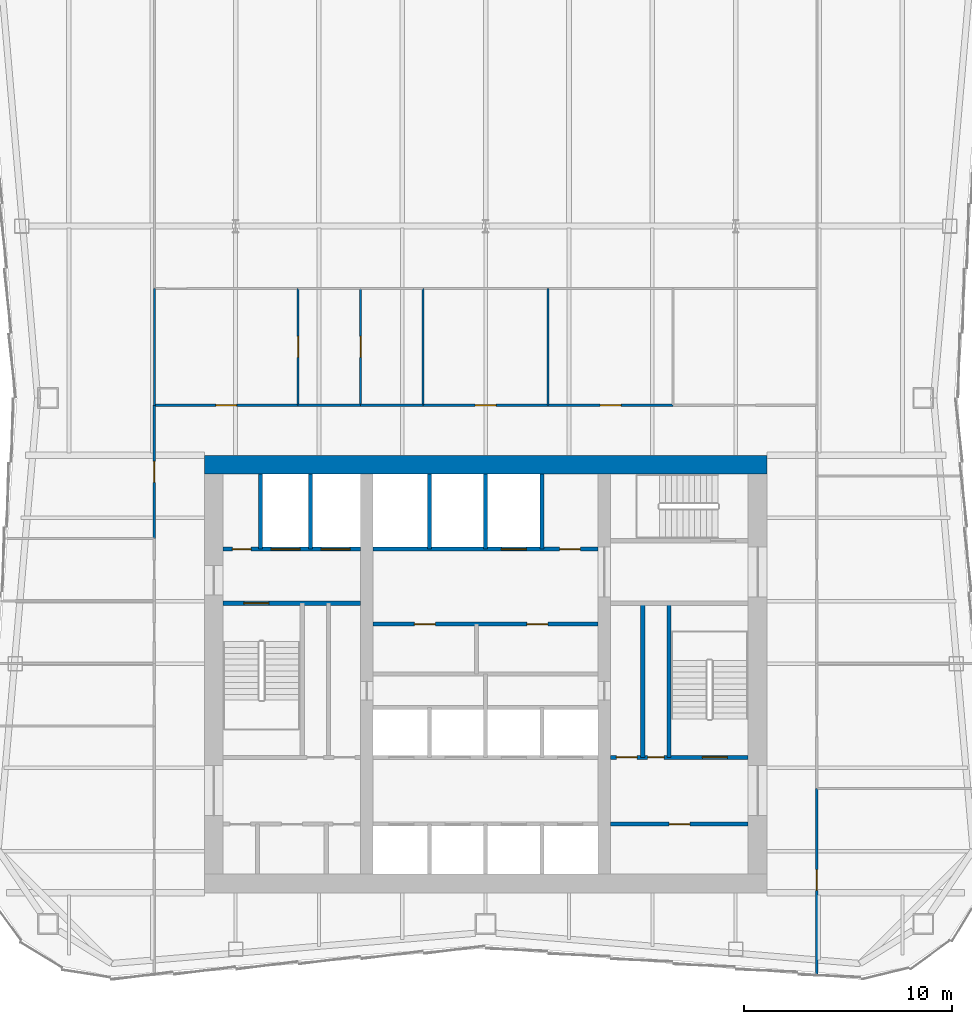
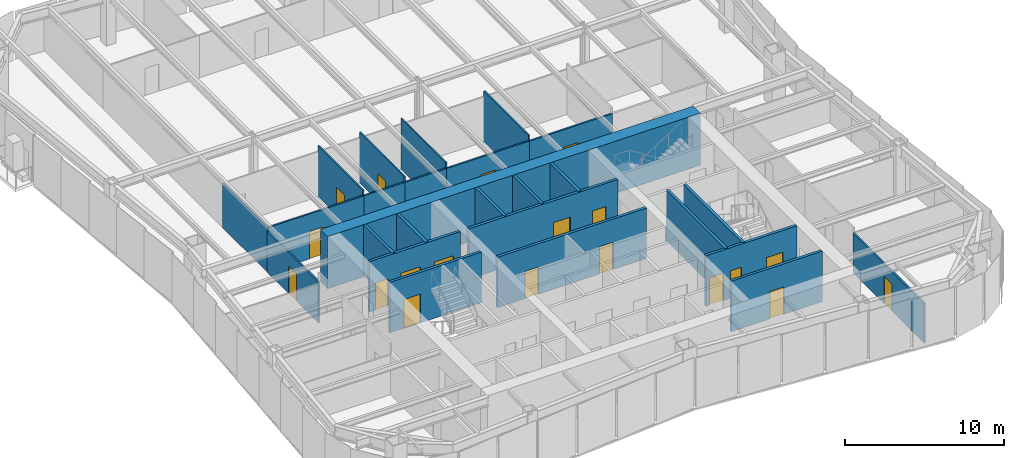
# One storey, part 6 of 10: 26 walls, 19 doors, 19 openings.
"""IFC4 building model written with IfcOpenShell, lengths in metres."""

from ifc_helpers import new_model, si_unit, direction, frame, frame_2d, origin, place, context, subcontext, project, spatial, rectangle, extrude, material, layer, layer_set, type_object, element, fill, save


model = new_model("IFC4")

# Units and contexts
model_context = context("Model", 3, precision=1e-05, world=origin(), true_north=direction((0.0, 1.0)))
body_context = subcontext(model_context, "Body", "Model", "MODEL_VIEW")
ifc_project = project(units=[si_unit("LENGTHUNIT", "METRE"), si_unit("AREAUNIT", "SQUARE_METRE"), si_unit("VOLUMEUNIT", "CUBIC_METRE"), si_unit("PLANEANGLEUNIT", "RADIAN"), si_unit("MASSUNIT", "GRAM", prefix="KILO")], contexts=[model_context])

# Site, building, storey
site_placement = place(None, origin())
site = spatial("IfcSite", under=ifc_project, at=site_placement, CompositionType="ELEMENT")
building_placement = place(site_placement, origin())
building = spatial("IfcBuilding", under=site, at=building_placement, Name="Verdant Reach Tower", CompositionType="ELEMENT")
storey_placement = place(building_placement, frame((0.0, 0.0, 202.0)))
storey = spatial("IfcBuildingStorey", under=building, at=storey_placement, Name="L46", CompositionType="ELEMENT", Elevation=202.0)

# Wall, opening, door
ifc_material_1 = material(Name="Gypsum board on steel studs", Category="steel")
ifc_layer_1 = layer(ifc_material_1, 0.199951171875)
ifc_layer_set_1 = layer_set([ifc_layer_1], Name="CO-WALL-ROOM")
wall_type_1 = type_object("IfcWallType", Name="CO-WALL-ROOM", PredefinedType="PARTITIONING", material=ifc_layer_set_1)
wall_1_placement = place(storey_placement, frame((6.0, 20.800048828125, 0.0), z_axis=(0.0, 0.0, 1.0), x_axis=(1.0, 0.0, 0.0)))
wall_1 = element("IfcWall", 1, at=wall_1_placement, inside=storey, type_object=wall_type_1, Name="Core partition, L46", PredefinedType="PARTITIONING", context=body_context, shape_type="SweptSolid", body=[
    extrude(rectangle(XDim=6.60009765625, YDim=0.199951171875, at=frame_2d((3.300048828125, 0.0))), origin(), (0.0, 0.0, 1.0), 3.8701171875),
])
opening_1_placement = place(wall_1_placement, frame((2.800048828125, 0.0, 0.0)))
opening_1 = element("IfcOpeningElement", 2, at=opening_1_placement, cuts=wall_1, Name="Opening CD", PredefinedType="OPENING", context=body_context, shape_type="SweptSolid", body=[
    extrude(rectangle(XDim=1.0, YDim=2.10009765625, at=frame_2d((0.5, 1.050048828125))), frame((0.0, 0.10986328125, 0.0), z_axis=(0.0, -1.0, 0.0), x_axis=(1.0, 0.0, 0.0)), (0.0, 0.0, 1.0), 0.219970703125),
])
ifc_material_2 = material(Name="Timber", Category="wood")
door_type_1 = type_object("IfcDoorType", Name="CO-DOOR-ROOM", OperationType="NOTDEFINED", PredefinedType="DOOR", material=ifc_material_2)
door_1_placement = place(opening_1_placement, origin())
door_1 = element("IfcDoor", 3, at=door_1_placement, inside=storey, type_object=door_type_1, Name="Core room door, L46", OperationType="SINGLE_SWING_RIGHT", OverallHeight=2.10009765625, OverallWidth=1.0, PredefinedType="DOOR", context=body_context, shape_type="SweptSolid", body=[
    extrude(rectangle(XDim=1.0, YDim=2.10009765625, at=frame_2d((0.5, 1.050048828125))), frame((0.0, 0.02490234375, 0.0), z_axis=(0.0, -1.0, 0.0), x_axis=(1.0, 0.0, 0.0)), (0.0, 0.0, 1.0), 0.050048828125),
])
fill(opening_1, door_1)

# Wall, openings, doors
wall_2_placement = place(storey_placement, frame((-5.39990234375, 30.39990234375, 0.0), z_axis=(0.0, 0.0, 1.0), x_axis=(1.0, 0.0, 0.0)))
wall_2 = element("IfcWall", 4, at=wall_2_placement, inside=storey, type_object=wall_type_1, Name="Core partition, L46", PredefinedType="PARTITIONING", context=body_context, shape_type="SweptSolid", body=[
    extrude(rectangle(XDim=10.7998046875, YDim=0.199951171875, at=frame_2d((5.39990234375, 0.0))), origin(), (0.0, 0.0, 1.0), 3.8701171875),
])
opening_2_placement = place(wall_2_placement, frame((1.98388671875, 0.0, 0.0)))
opening_2 = element("IfcOpeningElement", 5, at=opening_2_placement, cuts=wall_2, Name="Opening CD", PredefinedType="OPENING", context=body_context, shape_type="SweptSolid", body=[
    extrude(rectangle(XDim=1.0, YDim=2.10009765625, at=frame_2d((0.5, 1.050048828125))), frame((0.0, 0.10986328125, 0.0), z_axis=(0.0, -1.0, 0.0), x_axis=(1.0, 0.0, 0.0)), (0.0, 0.0, 1.0), 0.219970703125),
])
opening_3_placement = place(wall_2_placement, frame((7.384033203125, 0.0, 0.0)))
opening_3 = element("IfcOpeningElement", 6, at=opening_3_placement, cuts=wall_2, Name="Opening CD", PredefinedType="OPENING", context=body_context, shape_type="SweptSolid", body=[
    extrude(rectangle(XDim=1.0, YDim=2.10009765625, at=frame_2d((0.5, 1.050048828125))), frame((0.0, 0.10986328125, 0.0), z_axis=(0.0, -1.0, 0.0), x_axis=(1.0, 0.0, 0.0)), (0.0, 0.0, 1.0), 0.219970703125),
])
door_2_placement = place(opening_2_placement, origin())
door_2 = element("IfcDoor", 7, at=door_2_placement, inside=storey, type_object=door_type_1, Name="Core room door, L46", OperationType="SINGLE_SWING_LEFT", OverallHeight=2.10009765625, OverallWidth=1.0, PredefinedType="DOOR", context=body_context, shape_type="SweptSolid", body=[
    extrude(rectangle(XDim=1.0, YDim=2.10009765625, at=frame_2d((0.5, 1.050048828125))), frame((0.0, 0.02490234375, 0.0), z_axis=(0.0, -1.0, 0.0), x_axis=(1.0, 0.0, 0.0)), (0.0, 0.0, 1.0), 0.050048828125),
])
fill(opening_2, door_2)
door_3_placement = place(opening_3_placement, origin())
door_3 = element("IfcDoor", 8, at=door_3_placement, inside=storey, type_object=door_type_1, Name="Core room door, L46", OperationType="SINGLE_SWING_RIGHT", OverallHeight=2.10009765625, OverallWidth=1.0, PredefinedType="DOOR", context=body_context, shape_type="SweptSolid", body=[
    extrude(rectangle(XDim=1.0, YDim=2.10009765625, at=frame_2d((0.5, 1.050048828125))), frame((0.0, 0.02490234375, 0.0), z_axis=(0.0, -1.0, 0.0), x_axis=(1.0, 0.0, 0.0)), (0.0, 0.0, 1.0), 0.050048828125),
])
fill(opening_3, door_3)

# Wall
wall_3_placement = place(storey_placement, frame((7.5400390625, 24.0, 0.0), z_axis=(0.0, 0.0, 1.0), x_axis=(0.0, 1.0, 0.0)))
element("IfcWall", 9, at=wall_3_placement, inside=storey, type_object=wall_type_1, Name="Core partition, L46", PredefinedType="PARTITIONING", context=body_context, shape_type="SweptSolid", body=[
    extrude(rectangle(XDim=7.39990234375, YDim=0.199951171875, at=frame_2d((3.699951171875, 0.0))), origin(), (0.0, 0.0, 1.0), 3.8701171875),
])

# Wall, openings, doors
ifc_material_3 = material(Name="Concrete C40/50", Category="concrete")
ifc_layer_2 = layer(ifc_material_3, 0.199951171875)
ifc_layer_set_2 = layer_set([ifc_layer_2], Name="CO-WALL-SHAFT")
wall_type_2 = type_object("IfcWallType", Name="CO-WALL-SHAFT", PredefinedType="PARTITIONING", material=ifc_layer_set_2)
wall_4_placement = place(storey_placement, frame((-12.60009765625, 34.0, 0.0), z_axis=(0.0, 0.0, 1.0), x_axis=(1.0, 0.0, 0.0)))
wall_4 = element("IfcWall", 10, at=wall_4_placement, inside=storey, type_object=wall_type_2, Name="Lift shaft wall, L46", PredefinedType="PARTITIONING", context=body_context, shape_type="SweptSolid", body=[
    extrude(rectangle(XDim=6.60009765625, YDim=0.199951171875, at=frame_2d((3.300048828125, 0.0))), origin(), (0.0, 0.0, 1.0), 3.8701171875),
])
opening_4_placement = place(wall_4_placement, frame((4.699951171875, 0.0, 0.0)))
opening_4 = element("IfcOpeningElement", 11, at=opening_4_placement, cuts=wall_4, Name="Opening LD-F1", PredefinedType="OPENING", context=body_context, shape_type="SweptSolid", body=[
    extrude(rectangle(XDim=1.39990234375, YDim=2.199951171875, at=frame_2d((0.699951171875, 1.10009765625))), frame((0.0, 0.10986328125, 0.0), z_axis=(0.0, -1.0, 0.0), x_axis=(1.0, 0.0, 0.0)), (0.0, 0.0, 1.0), 0.219970703125),
])
opening_5_placement = place(wall_4_placement, frame((2.300048828125, 0.0, 0.0)))
opening_5 = element("IfcOpeningElement", 12, at=opening_5_placement, cuts=wall_4, Name="Opening LD-F2", PredefinedType="OPENING", context=body_context, shape_type="SweptSolid", body=[
    extrude(rectangle(XDim=1.39990234375, YDim=2.199951171875, at=frame_2d((0.699951171875, 1.10009765625))), frame((0.0, 0.10986328125, 0.0), z_axis=(0.0, -1.0, 0.0), x_axis=(1.0, 0.0, 0.0)), (0.0, 0.0, 1.0), 0.219970703125),
])
opening_6_placement = place(wall_4_placement, frame((0.449951171875, 0.0, 0.0)))
opening_6 = element("IfcOpeningElement", 13, at=opening_6_placement, cuts=wall_4, Name="Opening RD", PredefinedType="OPENING", context=body_context, shape_type="SweptSolid", body=[
    extrude(rectangle(XDim=0.89990234375, YDim=2.10009765625, at=frame_2d((0.449951171875, 1.050048828125))), frame((0.0, 0.10986328125, 0.0), z_axis=(0.0, -1.0, 0.0), x_axis=(1.0, 0.0, 0.0)), (0.0, 0.0, 1.0), 0.219970703125),
])
ifc_material_4 = material(Name="Stainless steel", Category="steel")
door_type_2 = type_object("IfcDoorType", Name="CO-DOOR-LANDING-FF", OperationType="SLIDING_TO_LEFT", PredefinedType="DOOR", material=ifc_material_4)
door_4_placement = place(opening_4_placement, origin())
door_4 = element("IfcDoor", 14, at=door_4_placement, inside=storey, type_object=door_type_2, Name="Landing door F1, L46", OperationType="SLIDING_TO_LEFT", OverallHeight=2.199951171875, OverallWidth=1.39990234375, PredefinedType="DOOR", context=body_context, shape_type="SweptSolid", body=[
    extrude(rectangle(XDim=1.39990234375, YDim=2.199951171875, at=frame_2d((0.699951171875, 1.10009765625))), frame((0.0, 0.02490234375, 0.0), z_axis=(0.0, -1.0, 0.0), x_axis=(1.0, 0.0, 0.0)), (0.0, 0.0, 1.0), 0.050048828125),
])
fill(opening_4, door_4)
door_5_placement = place(opening_5_placement, origin())
door_5 = element("IfcDoor", 15, at=door_5_placement, inside=storey, type_object=door_type_2, Name="Landing door F2, L46", OperationType="SLIDING_TO_LEFT", OverallHeight=2.199951171875, OverallWidth=1.39990234375, PredefinedType="DOOR", context=body_context, shape_type="SweptSolid", body=[
    extrude(rectangle(XDim=1.39990234375, YDim=2.199951171875, at=frame_2d((0.699951171875, 1.10009765625))), frame((0.0, 0.02490234375, 0.0), z_axis=(0.0, -1.0, 0.0), x_axis=(1.0, 0.0, 0.0)), (0.0, 0.0, 1.0), 0.050048828125),
])
fill(opening_5, door_5)
ifc_material_5 = material(Name="Steel", Category="steel")
door_type_3 = type_object("IfcDoorType", Name="CO-DOOR-RISER", OperationType="NOTDEFINED", PredefinedType="DOOR", material=ifc_material_5)
door_6_placement = place(opening_6_placement, origin())
door_6 = element("IfcDoor", 16, at=door_6_placement, inside=storey, type_object=door_type_3, Name="Core room door, L46", OperationType="SINGLE_SWING_RIGHT", OverallHeight=2.10009765625, OverallWidth=0.89990234375, PredefinedType="DOOR", context=body_context, shape_type="SweptSolid", body=[
    extrude(rectangle(XDim=0.89990234375, YDim=2.10009765625, at=frame_2d((0.449951171875, 1.050048828125))), frame((0.0, 0.02490234375, 0.0), z_axis=(0.0, -1.0, 0.0), x_axis=(1.0, 0.0, 0.0)), (0.0, 0.0, 1.0), 0.050048828125),
])
fill(opening_6, door_6)

wall_5_placement = place(storey_placement, frame((-5.39990234375, 34.0, 0.0), z_axis=(0.0, 0.0, 1.0), x_axis=(1.0, 0.0, 0.0)))
wall_5 = element("IfcWall", 17, at=wall_5_placement, inside=storey, type_object=wall_type_2, Name="Lift shaft wall, L46", PredefinedType="PARTITIONING", context=body_context, shape_type="SweptSolid", body=[
    extrude(rectangle(XDim=10.7998046875, YDim=0.199951171875, at=frame_2d((5.39990234375, 0.0))), origin(), (0.0, 0.0, 1.0), 3.8701171875),
])
opening_7_placement = place(wall_5_placement, frame((6.14990234375, 0.0, 0.0)))
opening_7 = element("IfcOpeningElement", 18, at=opening_7_placement, cuts=wall_5, Name="Opening LD-SL1", PredefinedType="OPENING", context=body_context, shape_type="SweptSolid", body=[
    extrude(rectangle(XDim=1.199951171875, YDim=2.199951171875, at=frame_2d((0.60009765625, 1.10009765625))), frame((0.0, 0.10986328125, 0.0), z_axis=(0.0, -1.0, 0.0), x_axis=(1.0, 0.0, 0.0)), (0.0, 0.0, 1.0), 0.219970703125),
])
opening_8_placement = place(wall_5_placement, frame((8.949951171875, 0.0, 0.0)))
opening_8 = element("IfcOpeningElement", 19, at=opening_8_placement, cuts=wall_5, Name="Opening CD", PredefinedType="OPENING", context=body_context, shape_type="SweptSolid", body=[
    extrude(rectangle(XDim=1.0, YDim=2.10009765625, at=frame_2d((0.5, 1.050048828125))), frame((0.0, 0.10986328125, 0.0), z_axis=(0.0, -1.0, 0.0), x_axis=(1.0, 0.0, 0.0)), (0.0, 0.0, 1.0), 0.219970703125),
])
door_type_4 = type_object("IfcDoorType", Name="CO-DOOR-LANDING", OperationType="SLIDING_TO_LEFT", PredefinedType="DOOR", material=ifc_material_4)
door_7_placement = place(opening_7_placement, origin())
door_7 = element("IfcDoor", 20, at=door_7_placement, inside=storey, type_object=door_type_4, Name="Landing door SL1, L46", OperationType="SLIDING_TO_LEFT", OverallHeight=2.199951171875, OverallWidth=1.199951171875, PredefinedType="DOOR", context=body_context, shape_type="SweptSolid", body=[
    extrude(rectangle(XDim=1.199951171875, YDim=2.199951171875, at=frame_2d((0.60009765625, 1.10009765625))), frame((0.0, 0.02490234375, 0.0), z_axis=(0.0, -1.0, 0.0), x_axis=(1.0, 0.0, 0.0)), (0.0, 0.0, 1.0), 0.050048828125),
])
fill(opening_7, door_7)
door_8_placement = place(opening_8_placement, origin())
door_8 = element("IfcDoor", 21, at=door_8_placement, inside=storey, type_object=door_type_1, Name="Core room door, L46", OperationType="SINGLE_SWING_LEFT", OverallHeight=2.10009765625, OverallWidth=1.0, PredefinedType="DOOR", context=body_context, shape_type="SweptSolid", body=[
    extrude(rectangle(XDim=1.0, YDim=2.10009765625, at=frame_2d((0.5, 1.050048828125))), frame((0.0, 0.02490234375, 0.0), z_axis=(0.0, -1.0, 0.0), x_axis=(1.0, 0.0, 0.0)), (0.0, 0.0, 1.0), 0.050048828125),
])
fill(opening_8, door_8)

# Walls
for number, where, z_axis, x_axis, name in (
    (22, (-10.800048828125, 34.0, 0.0), (0.0, 0.0, 1.0), (0.0, 1.0, 0.0), "Lift shaft wall, L46"),
    (23, (-8.39990234375, 34.0, 0.0), (0.0, 0.0, 1.0), (0.0, 1.0, 0.0), "Lift shaft wall, L46"),
    (24, (-2.699951171875, 34.0, 0.0), (0.0, 0.0, 1.0), (0.0, 1.0, 0.0), "Lift shaft wall, L46"),
    (25, (0.0, 34.0, 0.0), (0.0, 0.0, 1.0), (0.0, 1.0, 0.0), "Lift shaft wall, L46"),
    (26, (2.699951171875, 34.0, 0.0), (0.0, 0.0, 1.0), (0.0, 1.0, 0.0), "Lift shaft wall, L46"),
):
    element("IfcWall", number, at=place(storey_placement, frame(where, z_axis=z_axis, x_axis=x_axis)), inside=storey, type_object=wall_type_2, Name=name, PredefinedType="PARTITIONING", context=body_context, shape_type="SweptSolid", body=[
        extrude(rectangle(XDim=3.60009765625, YDim=0.199951171875, at=frame_2d((1.800048828125, 0.0))), origin(), (0.0, 0.0, 1.0), 3.8701171875),
    ])

# Wall, openings, doors
ifc_layer_3 = layer(ifc_material_3, 0.199951171875)
ifc_layer_set_3 = layer_set([ifc_layer_3], Name="CO-WALL-STAIR")
wall_type_3 = type_object("IfcWallType", Name="CO-WALL-STAIR", PredefinedType="PARTITIONING", material=ifc_layer_set_3)
wall_6_placement = place(storey_placement, frame((6.0, 24.0, 0.0), z_axis=(0.0, 0.0, 1.0), x_axis=(1.0, 0.0, 0.0)))
wall_6 = element("IfcWall", 27, at=wall_6_placement, inside=storey, type_object=wall_type_3, Name="Stair enclosure wall, L46", PredefinedType="PARTITIONING", context=body_context, shape_type="SweptSolid", body=[
    extrude(rectangle(XDim=6.60009765625, YDim=0.199951171875, at=frame_2d((3.300048828125, 0.0))), origin(), (0.0, 0.0, 1.0), 3.8701171875),
])
opening_9_placement = place(wall_6_placement, frame((0.27001953125, 0.0, 0.0)))
opening_9 = element("IfcOpeningElement", 28, at=opening_9_placement, cuts=wall_6, Name="Opening CD", PredefinedType="OPENING", context=body_context, shape_type="SweptSolid", body=[
    extrude(rectangle(XDim=1.0, YDim=2.10009765625, at=frame_2d((0.5, 1.050048828125))), frame((0.0, 0.10986328125, 0.0), z_axis=(0.0, -1.0, 0.0), x_axis=(1.0, 0.0, 0.0)), (0.0, 0.0, 1.0), 0.219970703125),
])
opening_10_placement = place(wall_6_placement, frame((1.77001953125, 0.0, 0.0)))
opening_10 = element("IfcOpeningElement", 29, at=opening_10_placement, cuts=wall_6, Name="Opening CDN", PredefinedType="OPENING", context=body_context, shape_type="SweptSolid", body=[
    extrude(rectangle(XDim=0.800048828125, YDim=2.10009765625, at=frame_2d((0.39990234375, 1.050048828125))), frame((0.0, 0.10986328125, 0.0), z_axis=(0.0, -1.0, 0.0), x_axis=(1.0, 0.0, 0.0)), (0.0, 0.0, 1.0), 0.219970703125),
])
opening_11_placement = place(wall_6_placement, frame((4.39990234375, 0.0, 0.0)))
opening_11 = element("IfcOpeningElement", 30, at=opening_11_placement, cuts=wall_6, Name="Opening SD", PredefinedType="OPENING", context=body_context, shape_type="SweptSolid", body=[
    extrude(rectangle(XDim=1.199951171875, YDim=2.199951171875, at=frame_2d((0.60009765625, 1.10009765625))), frame((0.0, 0.10986328125, 0.0), z_axis=(0.0, -1.0, 0.0), x_axis=(1.0, 0.0, 0.0)), (0.0, 0.0, 1.0), 0.219970703125),
])
door_9_placement = place(opening_9_placement, origin())
door_9 = element("IfcDoor", 31, at=door_9_placement, inside=storey, type_object=door_type_1, Name="Core room door, L46", OperationType="SINGLE_SWING_RIGHT", OverallHeight=2.10009765625, OverallWidth=1.0, PredefinedType="DOOR", context=body_context, shape_type="SweptSolid", body=[
    extrude(rectangle(XDim=1.0, YDim=2.10009765625, at=frame_2d((0.5, 1.050048828125))), frame((0.0, 0.02490234375, 0.0), z_axis=(0.0, -1.0, 0.0), x_axis=(1.0, 0.0, 0.0)), (0.0, 0.0, 1.0), 0.050048828125),
])
fill(opening_9, door_9)
door_type_5 = type_object("IfcDoorType", Name="CO-DOOR-ROOM-NARROW", OperationType="NOTDEFINED", PredefinedType="DOOR", material=ifc_material_2)
door_10_placement = place(opening_10_placement, origin())
door_10 = element("IfcDoor", 32, at=door_10_placement, inside=storey, type_object=door_type_5, Name="Core room door, L46", OperationType="SINGLE_SWING_LEFT", OverallHeight=2.10009765625, OverallWidth=0.800048828125, PredefinedType="DOOR", context=body_context, shape_type="SweptSolid", body=[
    extrude(rectangle(XDim=0.800048828125, YDim=2.10009765625, at=frame_2d((0.39990234375, 1.050048828125))), frame((0.0, 0.02490234375, 0.0), z_axis=(0.0, -1.0, 0.0), x_axis=(1.0, 0.0, 0.0)), (0.0, 0.0, 1.0), 0.050048828125),
])
fill(opening_10, door_10)
door_type_6 = type_object("IfcDoorType", Name="CO-DOOR-STAIR", OperationType="NOTDEFINED", PredefinedType="DOOR", material=ifc_material_5)
door_11_placement = place(opening_11_placement, origin())
door_11 = element("IfcDoor", 33, at=door_11_placement, inside=storey, type_object=door_type_6, Name="Stair door, L46", OperationType="SINGLE_SWING_RIGHT", OverallHeight=2.199951171875, OverallWidth=1.199951171875, PredefinedType="DOOR", context=body_context, shape_type="SweptSolid", body=[
    extrude(rectangle(XDim=1.199951171875, YDim=2.199951171875, at=frame_2d((0.60009765625, 1.10009765625))), frame((0.0, 0.02490234375, 0.0), z_axis=(0.0, -1.0, 0.0), x_axis=(1.0, 0.0, 0.0)), (0.0, 0.0, 1.0), 0.050048828125),
])
fill(opening_11, door_11)

# Wall, opening, door
wall_7_placement = place(storey_placement, frame((-12.60009765625, 31.39990234375, 0.0), z_axis=(0.0, 0.0, 1.0), x_axis=(1.0, 0.0, 0.0)))
wall_7 = element("IfcWall", 34, at=wall_7_placement, inside=storey, type_object=wall_type_3, Name="Stair enclosure wall, L46", PredefinedType="PARTITIONING", context=body_context, shape_type="SweptSolid", body=[
    extrude(rectangle(XDim=6.60009765625, YDim=0.199951171875, at=frame_2d((3.300048828125, 0.0))), origin(), (0.0, 0.0, 1.0), 3.8701171875),
])
opening_12_placement = place(wall_7_placement, frame((1.0, 0.0, 0.0)))
opening_12 = element("IfcOpeningElement", 35, at=opening_12_placement, cuts=wall_7, Name="Opening SD", PredefinedType="OPENING", context=body_context, shape_type="SweptSolid", body=[
    extrude(rectangle(XDim=1.199951171875, YDim=2.199951171875, at=frame_2d((0.60009765625, 1.10009765625))), frame((0.0, 0.10986328125, 0.0), z_axis=(0.0, -1.0, 0.0), x_axis=(1.0, 0.0, 0.0)), (0.0, 0.0, 1.0), 0.219970703125),
])
door_12_placement = place(opening_12_placement, origin())
door_12 = element("IfcDoor", 36, at=door_12_placement, inside=storey, type_object=door_type_6, Name="Stair door, L46", OperationType="SINGLE_SWING_LEFT", OverallHeight=2.199951171875, OverallWidth=1.199951171875, PredefinedType="DOOR", context=body_context, shape_type="SweptSolid", body=[
    extrude(rectangle(XDim=1.199951171875, YDim=2.199951171875, at=frame_2d((0.60009765625, 1.10009765625))), frame((0.0, 0.02490234375, 0.0), z_axis=(0.0, -1.0, 0.0), x_axis=(1.0, 0.0, 0.0)), (0.0, 0.0, 1.0), 0.050048828125),
])
fill(opening_12, door_12)

# Wall
wall_8_placement = place(storey_placement, frame((8.800048828125, 24.0, 0.0), z_axis=(0.0, 0.0, 1.0), x_axis=(0.0, 1.0, 0.0)))
element("IfcWall", 37, at=wall_8_placement, inside=storey, type_object=wall_type_3, Name="Stair enclosure wall, L46", PredefinedType="PARTITIONING", context=body_context, shape_type="SweptSolid", body=[
    extrude(rectangle(XDim=7.39990234375, YDim=0.199951171875, at=frame_2d((3.699951171875, 0.0))), origin(), (0.0, 0.0, 1.0), 3.8701171875),
])

# Wall, opening, door
ifc_layer_4 = layer(ifc_material_1, 0.10009765625)
ifc_layer_set_4 = layer_set([ifc_layer_4], Name="FL-W1 Partition 100")
wall_type_4 = type_object("IfcWallType", Name="FL-W1 Partition 100", PredefinedType="PARTITIONING", material=ifc_layer_set_4)
wall_9_placement = place(storey_placement, frame((-9.0, 46.5, 0.0), z_axis=(0.0, 0.0, 1.0), x_axis=(0.0, -1.0, 0.0)))
wall_9 = element("IfcWall", 38, at=wall_9_placement, inside=storey, type_object=wall_type_4, Name="Partition 46.16", PredefinedType="PARTITIONING", context=body_context, shape_type="SweptSolid", body=[
    extrude(rectangle(XDim=5.60009765625, YDim=0.10009765625, at=frame_2d((2.800048828125, 0.0))), origin(), (0.0, 0.0, 1.0), 3.8701171875),
])
opening_13_placement = place(wall_9_placement, frame((2.300048828125, 0.0, 0.0)))
opening_13 = element("IfcOpeningElement", 39, at=opening_13_placement, cuts=wall_9, Name="Opening D3", PredefinedType="OPENING", context=body_context, shape_type="SweptSolid", body=[
    extrude(rectangle(XDim=1.0, YDim=2.10009765625, at=frame_2d((0.5, 1.050048828125))), frame((0.0, 0.06005859375, 0.0), z_axis=(0.0, -1.0, 0.0), x_axis=(1.0, 0.0, 0.0)), (0.0, 0.0, 1.0), 0.1201171875),
])
ifc_material_6 = material(Name="Painted timber door leaf", Category="wood")
door_type_7 = type_object("IfcDoorType", Name="FL-D3 Door 1000x2100", OperationType="NOTDEFINED", PredefinedType="DOOR", material=ifc_material_6)
door_13_placement = place(opening_13_placement, origin())
door_13 = element("IfcDoor", 40, at=door_13_placement, inside=storey, type_object=door_type_7, Name="Door 46-014", OperationType="SINGLE_SWING_RIGHT", OverallHeight=2.10009765625, OverallWidth=1.0, PredefinedType="DOOR", context=body_context, shape_type="SweptSolid", body=[
    extrude(rectangle(XDim=1.0, YDim=2.10009765625, at=frame_2d((0.5, 1.050048828125))), frame((0.0, 0.02490234375, 0.0), z_axis=(0.0, -1.0, 0.0), x_axis=(1.0, 0.0, 0.0)), (0.0, 0.0, 1.0), 0.050048828125),
])
fill(opening_13, door_13)

# Wall
wall_10_placement = place(storey_placement, frame((-15.89990234375, 46.50390625, 0.0), z_axis=(0.0, 0.0, 1.0), x_axis=(0.0, -1.0, 0.0)))
element("IfcWall", 41, at=wall_10_placement, inside=storey, type_object=wall_type_4, Name="Partition 46.18", PredefinedType="PARTITIONING", context=body_context, shape_type="SweptSolid", body=[
    extrude(rectangle(XDim=5.60791015625, YDim=0.10009765625, at=frame_2d((2.803955078125, 0.0))), origin(), (0.0, 0.0, 1.0), 3.43994140625),
])

# Wall, opening, door
wall_11_placement = place(storey_placement, frame((-6.0, 46.5, 0.0), z_axis=(0.0, 0.0, 1.0), x_axis=(0.0, -1.0, 0.0)))
wall_11 = element("IfcWall", 42, at=wall_11_placement, inside=storey, type_object=wall_type_4, Name="Partition 46.19", PredefinedType="PARTITIONING", context=body_context, shape_type="SweptSolid", body=[
    extrude(rectangle(XDim=5.60009765625, YDim=0.10009765625, at=frame_2d((2.800048828125, 0.0))), origin(), (0.0, 0.0, 1.0), 3.8701171875),
])
opening_14_placement = place(wall_11_placement, frame((2.300048828125, 0.0, 0.0)))
opening_14 = element("IfcOpeningElement", 43, at=opening_14_placement, cuts=wall_11, Name="Opening D3", PredefinedType="OPENING", context=body_context, shape_type="SweptSolid", body=[
    extrude(rectangle(XDim=1.0, YDim=2.10009765625, at=frame_2d((0.5, 1.050048828125))), frame((0.0, 0.06005859375, 0.0), z_axis=(0.0, -1.0, 0.0), x_axis=(1.0, 0.0, 0.0)), (0.0, 0.0, 1.0), 0.1201171875),
])
door_14_placement = place(opening_14_placement, origin())
door_14 = element("IfcDoor", 44, at=door_14_placement, inside=storey, type_object=door_type_7, Name="Door 46-016", OperationType="SINGLE_SWING_RIGHT", OverallHeight=2.10009765625, OverallWidth=1.0, PredefinedType="DOOR", context=body_context, shape_type="SweptSolid", body=[
    extrude(rectangle(XDim=1.0, YDim=2.10009765625, at=frame_2d((0.5, 1.050048828125))), frame((0.0, 0.02490234375, 0.0), z_axis=(0.0, -1.0, 0.0), x_axis=(1.0, 0.0, 0.0)), (0.0, 0.0, 1.0), 0.050048828125),
])
fill(opening_14, door_14)

# Walls
for number, where, z_axis, x_axis, name in (
    (45, (-3.0, 40.89990234375, 0.0), (0.0, 0.0, 1.0), (0.0, 1.0, 0.0), "Partition 46.21"),
    (46, (3.0, 40.89990234375, 0.0), (0.0, 0.0, 1.0), (0.0, 1.0, 0.0), "Partition 46.23"),
):
    element("IfcWall", number, at=place(storey_placement, frame(where, z_axis=z_axis, x_axis=x_axis)), inside=storey, type_object=wall_type_4, Name=name, PredefinedType="PARTITIONING", context=body_context, shape_type="SweptSolid", body=[
        extrude(rectangle(XDim=5.60009765625, YDim=0.10009765625, at=frame_2d((2.800048828125, 0.0))), origin(), (0.0, 0.0, 1.0), 3.8701171875),
    ])

# Wall, opening, door
ifc_material_7 = material(Name="Gypsum board on steel studs, fire rated", Category="steel")
ifc_layer_5 = layer(ifc_material_7, 0.125)
ifc_layer_set_5 = layer_set([ifc_layer_5], Name="FL-W2 Corridor wall 125")
wall_type_5 = type_object("IfcWallType", Name="FL-W2 Corridor wall 125", PredefinedType="PARTITIONING", material=ifc_layer_set_5)
wall_12_placement = place(storey_placement, frame((-15.89990234375, 40.89990234375, 0.0), z_axis=(0.0, 0.0, 1.0), x_axis=(1.0, 0.0, 0.0)))
wall_12 = element("IfcWall", 47, at=wall_12_placement, inside=storey, type_object=wall_type_5, Name="Partition 46.01", PredefinedType="PARTITIONING", context=body_context, shape_type="SweptSolid", body=[
    extrude(rectangle(XDim=6.89990234375, YDim=0.125, at=frame_2d((3.449951171875, 0.0))), origin(), (0.0, 0.0, 1.0), 3.43994140625),
])
opening_15_placement = place(wall_12_placement, frame((2.949951171875, 0.0, 0.0)))
opening_15 = element("IfcOpeningElement", 48, at=opening_15_placement, cuts=wall_12, Name="Opening D2", PredefinedType="OPENING", context=body_context, shape_type="SweptSolid", body=[
    extrude(rectangle(XDim=1.0, YDim=2.10009765625, at=frame_2d((0.5, 1.050048828125))), frame((0.0, 0.072509765625, 0.0), z_axis=(0.0, -1.0, 0.0), x_axis=(1.0, 0.0, 0.0)), (0.0, 0.0, 1.0), 0.14501953125),
])
ifc_material_8 = material(Name="Timber door leaf, fire rated", Category="wood")
door_type_8 = type_object("IfcDoorType", Name="FL-D2 Entrance door 1000x2100 FD30", OperationType="NOTDEFINED", PredefinedType="DOOR", material=ifc_material_8)
door_15_placement = place(opening_15_placement, origin())
door_15 = element("IfcDoor", 49, at=door_15_placement, inside=storey, type_object=door_type_8, Name="Door 46-001", OperationType="SINGLE_SWING_LEFT", OverallHeight=2.10009765625, OverallWidth=1.0, PredefinedType="DOOR", context=body_context, shape_type="SweptSolid", body=[
    extrude(rectangle(XDim=1.0, YDim=2.10009765625, at=frame_2d((0.5, 1.050048828125))), frame((0.0, 0.02490234375, 0.0), z_axis=(0.0, -1.0, 0.0), x_axis=(1.0, 0.0, 0.0)), (0.0, 0.0, 1.0), 0.050048828125),
])
fill(opening_15, door_15)

# Walls
for number, where, z_axis, x_axis, name in (
    (50, (-6.0, 40.89990234375, 0.0), (0.0, 0.0, 1.0), (-1.0, 0.0, 0.0), "Partition 46.02"),
    (51, (-3.0, 40.89990234375, 0.0), (0.0, 0.0, 1.0), (-1.0, 0.0, 0.0), "Partition 46.03"),
):
    element("IfcWall", number, at=place(storey_placement, frame(where, z_axis=z_axis, x_axis=x_axis)), inside=storey, type_object=wall_type_5, Name=name, PredefinedType="PARTITIONING", context=body_context, shape_type="SweptSolid", body=[
        extrude(rectangle(XDim=3.0, YDim=0.125, at=frame_2d((1.5, 0.0))), origin(), (0.0, 0.0, 1.0), 3.43994140625),
    ])

# Wall, opening, door
wall_13_placement = place(storey_placement, frame((-3.0, 40.89990234375, 0.0), z_axis=(0.0, 0.0, 1.0), x_axis=(1.0, 0.0, 0.0)))
wall_13 = element("IfcWall", 52, at=wall_13_placement, inside=storey, type_object=wall_type_5, Name="Partition 46.04", PredefinedType="PARTITIONING", context=body_context, shape_type="SweptSolid", body=[
    extrude(rectangle(XDim=6.0, YDim=0.125, at=frame_2d((3.0, 0.0))), origin(), (0.0, 0.0, 1.0), 3.43994140625),
])
opening_16_placement = place(wall_13_placement, frame((2.5, 0.0, 0.0)))
opening_16 = element("IfcOpeningElement", 53, at=opening_16_placement, cuts=wall_13, Name="Opening D2", PredefinedType="OPENING", context=body_context, shape_type="SweptSolid", body=[
    extrude(rectangle(XDim=1.0, YDim=2.10009765625, at=frame_2d((0.5, 1.050048828125))), frame((0.0, 0.072509765625, 0.0), z_axis=(0.0, -1.0, 0.0), x_axis=(1.0, 0.0, 0.0)), (0.0, 0.0, 1.0), 0.14501953125),
])
door_16_placement = place(opening_16_placement, origin())
door_16 = element("IfcDoor", 54, at=door_16_placement, inside=storey, type_object=door_type_8, Name="Door 46-002", OperationType="SINGLE_SWING_RIGHT", OverallHeight=2.10009765625, OverallWidth=1.0, PredefinedType="DOOR", context=body_context, shape_type="SweptSolid", body=[
    extrude(rectangle(XDim=1.0, YDim=2.10009765625, at=frame_2d((0.5, 1.050048828125))), frame((0.0, 0.02490234375, 0.0), z_axis=(0.0, -1.0, 0.0), x_axis=(1.0, 0.0, 0.0)), (0.0, 0.0, 1.0), 0.050048828125),
])
fill(opening_16, door_16)

wall_14_placement = place(storey_placement, frame((3.0, 40.89990234375, 0.0), z_axis=(0.0, 0.0, 1.0), x_axis=(1.0, 0.0, 0.0)))
wall_14 = element("IfcWall", 55, at=wall_14_placement, inside=storey, type_object=wall_type_5, Name="Partition 46.05", PredefinedType="PARTITIONING", context=body_context, shape_type="SweptSolid", body=[
    extrude(rectangle(XDim=6.0, YDim=0.125, at=frame_2d((3.0, 0.0))), origin(), (0.0, 0.0, 1.0), 3.43994140625),
])
opening_17_placement = place(wall_14_placement, frame((2.5, 0.0, 0.0)))
opening_17 = element("IfcOpeningElement", 56, at=opening_17_placement, cuts=wall_14, Name="Opening D2", PredefinedType="OPENING", context=body_context, shape_type="SweptSolid", body=[
    extrude(rectangle(XDim=1.0, YDim=2.10009765625, at=frame_2d((0.5, 1.050048828125))), frame((0.0, 0.072509765625, 0.0), z_axis=(0.0, -1.0, 0.0), x_axis=(1.0, 0.0, 0.0)), (0.0, 0.0, 1.0), 0.14501953125),
])
door_17_placement = place(opening_17_placement, origin())
door_17 = element("IfcDoor", 57, at=door_17_placement, inside=storey, type_object=door_type_8, Name="Door 46-003", OperationType="SINGLE_SWING_LEFT", OverallHeight=2.10009765625, OverallWidth=1.0, PredefinedType="DOOR", context=body_context, shape_type="SweptSolid", body=[
    extrude(rectangle(XDim=1.0, YDim=2.10009765625, at=frame_2d((0.5, 1.050048828125))), frame((0.0, 0.02490234375, 0.0), z_axis=(0.0, -1.0, 0.0), x_axis=(1.0, 0.0, 0.0)), (0.0, 0.0, 1.0), 0.050048828125),
])
fill(opening_17, door_17)

wall_15_placement = place(storey_placement, frame((-15.89990234375, 34.5, 0.0), z_axis=(0.0, 0.0, 1.0), x_axis=(0.0, 1.0, 0.0)))
wall_15 = element("IfcWall", 58, at=wall_15_placement, inside=storey, type_object=wall_type_5, Name="Partition 46.11", PredefinedType="PARTITIONING", context=body_context, shape_type="SweptSolid", body=[
    extrude(rectangle(XDim=6.404052734375, YDim=0.125, at=frame_2d((3.2021484375, 0.0))), origin(), (0.0, 0.0, 1.0), 3.139892578125),
])
opening_18_placement = place(wall_15_placement, frame((2.701904296875, 0.0, 0.0)))
opening_18 = element("IfcOpeningElement", 59, at=opening_18_placement, cuts=wall_15, Name="Opening D2", PredefinedType="OPENING", context=body_context, shape_type="SweptSolid", body=[
    extrude(rectangle(XDim=1.0, YDim=2.10009765625, at=frame_2d((0.5, 1.050048828125))), frame((0.0, 0.072509765625, 0.0), z_axis=(0.0, -1.0, 0.0), x_axis=(1.0, 0.0, 0.0)), (0.0, 0.0, 1.0), 0.14501953125),
])
door_18_placement = place(opening_18_placement, origin())
door_18 = element("IfcDoor", 60, at=door_18_placement, inside=storey, type_object=door_type_8, Name="Door 46-009", OperationType="SINGLE_SWING_LEFT", OverallHeight=2.10009765625, OverallWidth=1.0, PredefinedType="DOOR", context=body_context, shape_type="SweptSolid", body=[
    extrude(rectangle(XDim=1.0, YDim=2.10009765625, at=frame_2d((0.5, 1.050048828125))), frame((0.0, 0.02490234375, 0.0), z_axis=(0.0, -1.0, 0.0), x_axis=(1.0, 0.0, 0.0)), (0.0, 0.0, 1.0), 0.050048828125),
])
fill(opening_18, door_18)

wall_16_placement = place(storey_placement, frame((15.89990234375, 22.5, 0.0), z_axis=(0.0, 0.0, 1.0), x_axis=(0.0, -1.0, 0.0)))
wall_16 = element("IfcWall", 61, at=wall_16_placement, inside=storey, type_object=wall_type_5, Name="Partition 46.12", PredefinedType="PARTITIONING", context=body_context, shape_type="SweptSolid", body=[
    extrude(rectangle(XDim=8.905029296875, YDim=0.125, at=frame_2d((4.45263671875, 0.0))), origin(), (0.0, 0.0, 1.0), 3.0400390625),
])
opening_19_placement = place(wall_16_placement, frame((3.887451171875, 0.0, 0.0)))
opening_19 = element("IfcOpeningElement", 62, at=opening_19_placement, cuts=wall_16, Name="Opening D2", PredefinedType="OPENING", context=body_context, shape_type="SweptSolid", body=[
    extrude(rectangle(XDim=1.0, YDim=2.10009765625, at=frame_2d((0.5, 1.050048828125))), frame((0.0, 0.072509765625, 0.0), z_axis=(0.0, -1.0, 0.0), x_axis=(1.0, 0.0, 0.0)), (0.0, 0.0, 1.0), 0.14501953125),
])
door_19_placement = place(opening_19_placement, origin())
door_19 = element("IfcDoor", 63, at=door_19_placement, inside=storey, type_object=door_type_8, Name="Door 46-010", OperationType="SINGLE_SWING_LEFT", OverallHeight=2.10009765625, OverallWidth=1.0, PredefinedType="DOOR", context=body_context, shape_type="SweptSolid", body=[
    extrude(rectangle(XDim=1.0, YDim=2.10009765625, at=frame_2d((0.5, 1.050048828125))), frame((0.0, 0.02490234375, 0.0), z_axis=(0.0, -1.0, 0.0), x_axis=(1.0, 0.0, 0.0)), (0.0, 0.0, 1.0), 0.050048828125),
])
fill(opening_19, door_19)

# Wall
ifc_material_9 = material(Name="Concrete C70/85", Category="concrete")
ifc_layer_6 = layer(ifc_material_9, 0.89990234375)
ifc_layer_set_6 = layer_set([ifc_layer_6], Name="ST-CORE-WALL-900")
wall_type_6 = type_object("IfcWallType", Name="ST-CORE-WALL-900", PredefinedType="SHEAR", material=ifc_layer_set_6)
wall_17_placement = place(storey_placement, frame((-13.5, 38.050048828125, -0.1298828125), z_axis=(0.0, 0.0, 1.0), x_axis=(1.0, 0.0, 0.0)))
element("IfcWall", 64, at=wall_17_placement, inside=storey, type_object=wall_type_6, Name="Core wall N, L46", PredefinedType="SHEAR", context=body_context, shape_type="SweptSolid", body=[
    extrude(rectangle(XDim=27.0, YDim=0.89990234375, at=frame_2d((13.5, 0.0))), origin(), (0.0, 0.0, 1.0), 4.0),
])

save(model, "model.ifc")
